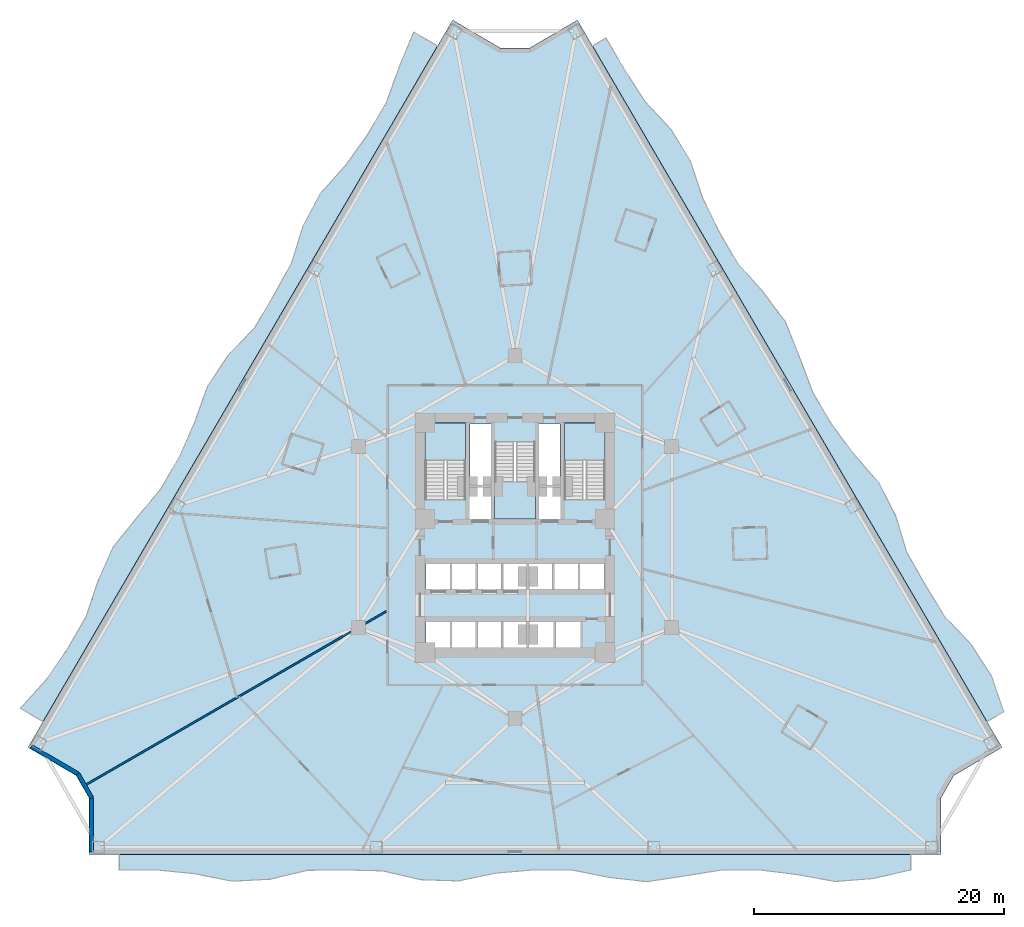
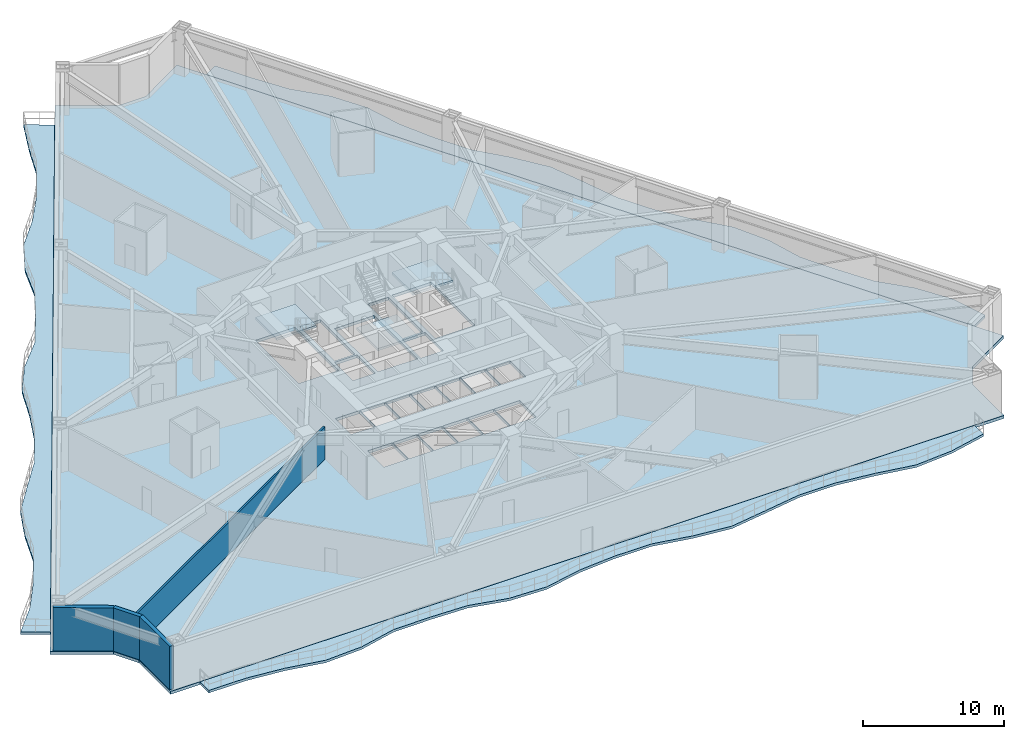
# One storey, part 2 of 12: 7 slabs, 4 walls, 3 elements without a shape of their own.
"""IFC4 building model written with IfcOpenShell, lengths in metres."""

from ifc_helpers import new_model, si_unit, direction, frame, frame_2d, origin, place, context, subcontext, project, spatial, polyline, rectangle, outline, extrude, material, layer, layer_set, type_object, element, aggregate, save


model = new_model("IFC4")

# Units and contexts
model_context = context("Model", 3, precision=1e-05, world=origin(), true_north=direction((0.0, 1.0)))
body_context = subcontext(model_context, "Body", "Model", "MODEL_VIEW")
ifc_project = project(units=[si_unit("LENGTHUNIT", "METRE"), si_unit("AREAUNIT", "SQUARE_METRE"), si_unit("VOLUMEUNIT", "CUBIC_METRE"), si_unit("PLANEANGLEUNIT", "RADIAN"), si_unit("MASSUNIT", "GRAM", prefix="KILO")], contexts=[model_context])

# Site, building, storey
site_placement = place(None, origin())
site = spatial("IfcSite", under=ifc_project, at=site_placement, CompositionType="ELEMENT")
building_placement = place(site_placement, origin())
building = spatial("IfcBuilding", under=site, at=building_placement, Name="Apsidion Concourse Tower", CompositionType="ELEMENT")
storey_placement = place(building_placement, frame((0.0, 0.0, 50.39990234375)))
storey = spatial("IfcBuildingStorey", under=building, at=storey_placement, Name="L10", CompositionType="ELEMENT", Elevation=50.39990234375)

# Slabs
ifc_material_1 = material(Name="Concrete C50/60", Category="concrete")
ifc_layer_1 = layer(ifc_material_1, 0.219970703125)
ifc_layer_set_1 = layer_set([ifc_layer_1], Name="Concrete C50/60")
slab_type_1 = type_object("IfcSlabType", Name="SL-BAL-220", PredefinedType="FLOOR", material=ifc_layer_set_1)
slab_1_placement = place(storey_placement, frame((0.0, 0.0, -0.219970703125)))
element("IfcSlab", 1, at=slab_1_placement, inside=storey, type_object=slab_type_1, Name="L10 Face 1 Rippling Balcony Slab", PredefinedType="FLOOR", context=body_context, shape_type="SweptSolid", body=[
    extrude(outline(polyline([(-6.204833984375, 39.32275390625), (-7.708740234375, 36.746826171875), (-9.212890625, 34.1708984375), (-10.716796875, 31.594970703125), (-12.220947265625, 29.018798828125), (-13.724853515625, 26.44287109375), (-15.22900390625, 23.866943359375), (-16.73291015625, 21.291015625), (-18.237060546875, 18.715087890625), (-19.740966796875, 16.138916015625), (-21.2451171875, 13.56298828125), (-22.7490234375, 10.987060546875), (-24.253173828125, 8.410888671875), (-25.757080078125, 5.8349609375), (-27.260986328125, 3.259033203125), (-28.76513671875, 0.68310546875), (-30.269287109375, -1.892822265625), (-31.773193359375, -4.468994140625), (-33.277099609375, -7.044921875), (-34.78125, -9.620849609375), (-36.285400390625, -12.19677734375), (-37.789306640625, -14.772705078125), (-39.611083984375, -13.708984375), (-37.548583984375, -11.458984375), (-35.860595703125, -8.990478515625), (-34.356689453125, -6.41455078125), (-33.38427734375, -3.5283203125), (-32.165771484375, -0.785400390625), (-30.265380859375, 1.55908203125), (-28.340576171875, 3.889404296875), (-26.836669921875, 6.46533203125), (-25.63671875, 9.218994140625), (-24.62060546875, 12.079833984375), (-22.952880859375, 14.560302734375), (-20.833740234375, 16.777099609375), (-19.31640625, 19.34521484375), (-17.88134765625, 21.96142578125), (-16.97998046875, 24.889404296875), (-15.57470703125, 27.522705078125), (-13.54443359375, 29.79150390625), (-11.79638671875, 32.22509765625), (-10.292236328125, 34.801025390625), (-9.265625, 37.65576171875), (-8.104736328125, 40.43212890625), (-6.204833984375, 39.32275390625)])), origin(), (0.0, 0.0, 1.0), 0.219970703125),
])
slab_2_placement = place(storey_placement, frame((0.0, 0.0, -0.219970703125)))
element("IfcSlab", 2, at=slab_2_placement, inside=storey, type_object=slab_type_1, Name="L10 Face 2 Rippling Balcony Slab", PredefinedType="FLOOR", context=body_context, shape_type="SweptSolid", body=[
    extrude(outline(polyline([(-31.68798828125, -25.39990234375), (-28.670166015625, -25.39990234375), (-25.65234375, -25.39990234375), (-22.634521484375, -25.39990234375), (-19.616455078125, -25.39990234375), (-16.598388671875, -25.39990234375), (-13.58056640625, -25.39990234375), (-10.562744140625, -25.39990234375), (-7.544921875, -25.39990234375), (-4.52685546875, -25.39990234375), (-1.509033203125, -25.39990234375), (1.509033203125, -25.39990234375), (4.52685546875, -25.39990234375), (7.544921875, -25.39990234375), (10.562744140625, -25.39990234375), (13.58056640625, -25.39990234375), (16.598388671875, -25.39990234375), (19.616455078125, -25.39990234375), (22.634521484375, -25.39990234375), (25.65234375, -25.39990234375), (28.670166015625, -25.39990234375), (31.68798828125, -25.39990234375), (31.68798828125, -26.64990234375), (28.670166015625, -27.340576171875), (25.65234375, -27.578369140625), (22.634521484375, -27.031982421875), (19.616455078125, -26.64990234375), (16.598388671875, -26.64990234375), (13.58056640625, -27.134033203125), (10.562744140625, -27.596923828125), (7.544921875, -27.25244140625), (4.52685546875, -26.64990234375), (1.509033203125, -26.64990234375), (-1.509033203125, -26.904296875), (-4.52685546875, -27.53369140625), (-7.544921875, -27.434814453125), (-10.562744140625, -26.731201171875), (-13.58056640625, -26.64990234375), (-16.598388671875, -26.680419921875), (-19.616455078125, -27.396484375), (-22.634521484375, -27.5556640625), (-25.65234375, -26.958984375), (-28.670166015625, -26.64990234375), (-31.68798828125, -26.64990234375), (-31.68798828125, -25.39990234375)])), origin(), (0.0, 0.0, 1.0), 0.219970703125),
])
slab_3_placement = place(storey_placement, frame((0.0, 0.0, -0.219970703125)))
element("IfcSlab", 3, at=slab_3_placement, inside=storey, type_object=slab_type_1, Name="L10 Face 3 Rippling Balcony Slab", PredefinedType="FLOOR", context=body_context, shape_type="SweptSolid", body=[
    extrude(outline(polyline([(37.789306640625, -14.772705078125), (36.285400390625, -12.19677734375), (34.78125, -9.620849609375), (33.277099609375, -7.044921875), (31.773193359375, -4.468994140625), (30.269287109375, -1.892822265625), (28.76513671875, 0.68310546875), (27.260986328125, 3.259033203125), (25.757080078125, 5.8349609375), (24.253173828125, 8.410888671875), (22.7490234375, 10.987060546875), (21.2451171875, 13.56298828125), (19.740966796875, 16.138916015625), (18.237060546875, 18.715087890625), (16.73291015625, 21.291015625), (15.22900390625, 23.866943359375), (13.724853515625, 26.44287109375), (12.220947265625, 29.018798828125), (10.716796875, 31.594970703125), (9.212890625, 34.1708984375), (7.708740234375, 36.746826171875), (6.204833984375, 39.32275390625), (7.2841796875, 39.953125), (8.788330078125, 37.377197265625), (10.404296875, 34.866455078125), (12.497314453125, 32.634521484375), (14.05029296875, 30.0869140625), (15.00341796875, 27.189208984375), (16.308349609375, 24.497314453125), (17.8125, 21.921142578125), (19.834716796875, 19.647705078125), (21.63916015625, 17.247314453125), (22.759521484375, 14.447265625), (23.82861328125, 11.6171875), (25.33251953125, 9.041259765625), (27.125732421875, 6.63427734375), (29.127685546875, 4.348876953125), (30.484375, 1.686767578125), (31.37548828125, -1.246826171875), (32.852783203125, -3.838623046875), (34.411376953125, -6.382568359375), (36.52197265625, -8.6044921875), (38.14111328125, -11.11328125), (39.127685546875, -13.9912109375), (37.789306640625, -14.772705078125)])), origin(), (0.0, 0.0, 1.0), 0.219970703125),
])
ifc_layer_2 = layer(ifc_material_1, 0.25)
ifc_layer_set_2 = layer_set([ifc_layer_2], Name="Concrete C50/60")
slab_type_2 = type_object("IfcSlabType", Name="SL-FLR-250", PredefinedType="FLOOR", material=ifc_layer_set_2)
slab_4_placement = place(storey_placement, frame((0.0, 0.0, -0.25)))
element("IfcSlab", 4, at=slab_4_placement, inside=storey, type_object=slab_type_2, Name="L10 Structural Floor Slab", PredefinedType="FLOOR", context=body_context, shape_type="SweptSolid", body=[
    extrude(outline(polyline([(4.99462890625, 41.3955078125), (1.13427734375, 39.141357421875), (-1.13427734375, 39.141357421875), (-4.99462890625, 41.3955078125), (-38.99951171875, -16.845458984375), (-35.138916015625, -19.099365234375), (-34.088134765625, -20.9296875), (-34.088134765625, -25.39990234375), (34.088134765625, -25.39990234375), (34.088134765625, -20.9296875), (35.138916015625, -19.099365234375), (38.99951171875, -16.845458984375), (4.99462890625, 41.3955078125)]), holes=[polyline([(-3.949951171875, 3.0), (-3.949951171875, 9.14990234375), (-7.199951171875, 9.14990234375), (-7.199951171875, 3.0), (-3.949951171875, 3.0)]), polyline([(7.199951171875, 3.0), (7.199951171875, 9.14990234375), (3.949951171875, 9.14990234375), (3.949951171875, 3.0), (7.199951171875, 3.0)]), polyline([(-1.625, 7.60009765625), (-1.625, 1.449951171875), (1.625, 1.449951171875), (1.625, 7.60009765625), (-1.625, 7.60009765625)]), polyline([(-7.14501953125, -4.300048828125), (-5.155029296875, -4.300048828125), (-5.155029296875, -2.050048828125), (-7.14501953125, -2.050048828125), (-7.14501953125, -4.300048828125)]), polyline([(-5.094970703125, -4.300048828125), (-3.10498046875, -4.300048828125), (-3.10498046875, -2.050048828125), (-5.094970703125, -2.050048828125), (-5.094970703125, -4.300048828125)]), polyline([(-3.044921875, -4.300048828125), (-1.054931640625, -4.300048828125), (-1.054931640625, -2.050048828125), (-3.044921875, -2.050048828125), (-3.044921875, -4.300048828125)]), polyline([(-0.9951171875, -4.300048828125), (0.9951171875, -4.300048828125), (0.9951171875, -2.050048828125), (-0.9951171875, -2.050048828125), (-0.9951171875, -4.300048828125)]), polyline([(1.054931640625, -4.300048828125), (3.044921875, -4.300048828125), (3.044921875, -2.050048828125), (1.054931640625, -2.050048828125), (1.054931640625, -4.300048828125)]), polyline([(3.10498046875, -4.300048828125), (5.094970703125, -4.300048828125), (5.094970703125, -2.050048828125), (3.10498046875, -2.050048828125), (3.10498046875, -4.300048828125)]), polyline([(5.155029296875, -4.300048828125), (7.14501953125, -4.300048828125), (7.14501953125, -2.050048828125), (5.155029296875, -2.050048828125), (5.155029296875, -4.300048828125)]), polyline([(-7.14501953125, -8.949951171875), (-5.155029296875, -8.949951171875), (-5.155029296875, -6.64990234375), (-7.14501953125, -6.64990234375), (-7.14501953125, -8.949951171875)]), polyline([(-5.094970703125, -8.949951171875), (-3.10498046875, -8.949951171875), (-3.10498046875, -6.64990234375), (-5.094970703125, -6.64990234375), (-5.094970703125, -8.949951171875)]), polyline([(-3.044921875, -8.949951171875), (-1.054931640625, -8.949951171875), (-1.054931640625, -6.64990234375), (-3.044921875, -6.64990234375), (-3.044921875, -8.949951171875)]), polyline([(-0.9951171875, -8.949951171875), (0.9951171875, -8.949951171875), (0.9951171875, -6.64990234375), (-0.9951171875, -6.64990234375), (-0.9951171875, -8.949951171875)]), polyline([(1.044921875, -9.0), (3.155029296875, -9.0), (3.155029296875, -6.64990234375), (1.044921875, -6.64990234375), (1.044921875, -9.0)]), polyline([(3.195068359375, -9.0), (5.304931640625, -9.0), (5.304931640625, -6.64990234375), (3.195068359375, -6.64990234375), (3.195068359375, -9.0)]), polyline([(-3.7099609375, 1.39990234375), (-1.85009765625, 1.39990234375), (-1.85009765625, 4.0), (-3.7099609375, 4.0), (-3.7099609375, 1.39990234375)]), polyline([(1.85009765625, 1.39990234375), (3.7099609375, 1.39990234375), (3.7099609375, 4.0), (1.85009765625, 4.0), (1.85009765625, 1.39990234375)]), polyline([(-3.6201171875, 4.14990234375), (-1.93994140625, 4.14990234375), (-1.93994140625, 9.050048828125), (-3.6201171875, 9.050048828125), (-3.6201171875, 4.14990234375)]), polyline([(1.93994140625, 4.14990234375), (3.6201171875, 4.14990234375), (3.6201171875, 9.050048828125), (1.93994140625, 9.050048828125), (1.93994140625, 4.14990234375)])]), origin(), (0.0, 0.0, 1.0), 0.25),
])

# Stair, slab
ifc_material_2 = material(Name="Precast concrete C40/50", Category="concrete")
stair_type = type_object("IfcStairType", Name="ST-DL-1550", PredefinedType="HALF_TURN_STAIR", material=ifc_material_2)
stair_1_placement = place(storey_placement, origin())
stair_1 = element("IfcStair", 5, at=stair_1_placement, inside=storey, type_object=stair_type, Name="L10 Protected Core Exit Stair ST1", PredefinedType="HALF_TURN_STAIR")
ifc_layer_3 = layer(ifc_material_1, 0.199951171875)
ifc_layer_set_3 = layer_set([ifc_layer_3], Name="Concrete C50/60")
slab_type_3 = type_object("IfcSlabType", Name="SL-ST-LAND-200", PredefinedType="LANDING", material=ifc_layer_set_3)
slab_5_placement = place(storey_placement, frame((0.0, 0.0, 1.800048828125)))
slab_5 = element("IfcSlab", 6, at=slab_5_placement, type_object=slab_type_3, Name="ST1 landing 1", PredefinedType="LANDING", context=body_context, shape_type="SweptSolid", body=[
    extrude(outline(polyline([(-3.949951171875, 6.135009765625), (-3.949951171875, 9.14990234375), (-7.199951171875, 9.14990234375), (-7.199951171875, 6.135009765625), (-3.949951171875, 6.135009765625)])), origin(), (0.0, 0.0, 1.0), 0.199951171875),
])
aggregate(stair_1, [slab_5])

stair_2_placement = place(storey_placement, origin())
stair_2 = element("IfcStair", 7, at=stair_2_placement, inside=storey, type_object=stair_type, Name="L10 Protected Core Exit Stair ST2", PredefinedType="HALF_TURN_STAIR")
slab_6_placement = place(storey_placement, frame((0.0, 0.0, 1.800048828125)))
slab_6 = element("IfcSlab", 8, at=slab_6_placement, type_object=slab_type_3, Name="ST2 landing 1", PredefinedType="LANDING", context=body_context, shape_type="SweptSolid", body=[
    extrude(outline(polyline([(7.199951171875, 6.135009765625), (7.199951171875, 9.14990234375), (3.949951171875, 9.14990234375), (3.949951171875, 6.135009765625), (7.199951171875, 6.135009765625)])), origin(), (0.0, 0.0, 1.0), 0.199951171875),
])
aggregate(stair_2, [slab_6])

stair_3_placement = place(storey_placement, origin())
stair_3 = element("IfcStair", 9, at=stair_3_placement, inside=storey, type_object=stair_type, Name="L10 Protected Core Exit Stair ST3", PredefinedType="HALF_TURN_STAIR")
slab_7_placement = place(storey_placement, frame((0.0, 0.0, 1.800048828125)))
slab_7 = element("IfcSlab", 10, at=slab_7_placement, type_object=slab_type_3, Name="ST3 landing 1", PredefinedType="LANDING", context=body_context, shape_type="SweptSolid", body=[
    extrude(outline(polyline([(-1.625, 4.465087890625), (-1.625, 1.449951171875), (1.625, 1.449951171875), (1.625, 4.465087890625), (-1.625, 4.465087890625)])), origin(), (0.0, 0.0, 1.0), 0.199951171875),
])
aggregate(stair_3, [slab_7])

# Walls
ifc_layer_4 = layer(ifc_material_2, 0.320068359375)
ifc_layer_set_4 = layer_set([ifc_layer_4], Name="Precast concrete C40/50")
wall_type_1 = type_object("IfcWallType", Name="WL-EXT-320", PredefinedType="STANDARD", material=ifc_layer_set_4)
wall_1_placement = place(storey_placement, frame((-33.88818359375, -25.199951171875, 0.0), z_axis=(0.0, 0.0, 1.0), x_axis=(0.0, 1.0, 0.0)))
element("IfcWall", 11, at=wall_1_placement, inside=storey, type_object=wall_type_1, Name="L10 Precast Stone Facade Wall 06", PredefinedType="STANDARD", context=body_context, shape_type="SweptSolid", body=[
    extrude(rectangle(XDim=4.32373046875, YDim=0.320068359375, at=frame_2d((2.161865234375, 0.0))), origin(), (0.0, 0.0, 1.0), 3.75),
])
wall_2_placement = place(storey_placement, frame((-33.88818359375, -20.876220703125, 0.0), z_axis=(0.0, 0.0, 1.0), x_axis=(-0.497881323344, 0.867245171717, 0.0)))
element("IfcWall", 12, at=wall_2_placement, inside=storey, type_object=wall_type_1, Name="L10 Precast Stone Facade Wall 07", PredefinedType="STANDARD", context=body_context, shape_type="SweptSolid", body=[
    extrude(rectangle(XDim=2.216796875, YDim=0.320068359375, at=frame_2d((1.1083984375, 0.0))), origin(), (0.0, 0.0, 1.0), 3.75),
])
wall_3_placement = place(storey_placement, frame((-34.991943359375, -18.95361328125, 0.0), z_axis=(0.0, 0.0, 1.0), x_axis=(-0.863569936823, 0.504229079105, 0.0)))
element("IfcWall", 13, at=wall_3_placement, inside=storey, type_object=wall_type_1, Name="L10 Precast Stone Facade Wall 08", PredefinedType="STANDARD", context=body_context, shape_type="SweptSolid", body=[
    extrude(rectangle(XDim=4.32373046875, YDim=0.320068359375, at=frame_2d((2.161865234375, 0.0))), origin(), (0.0, 0.0, 1.0), 3.75),
])
ifc_material_3 = material(Name="Gypsum plasterboard partition")
ifc_layer_5 = layer(ifc_material_3, 0.14990234375)
ifc_layer_set_5 = layer_set([ifc_layer_5], Name="Gypsum plasterboard partition")
wall_type_2 = type_object("IfcWallType", Name="WL-INT-PAR-150", PredefinedType="PARTITIONING", material=ifc_layer_set_5)
wall_4_placement = place(storey_placement, frame((-10.304931640625, -5.94970703125, 0.0), z_axis=(0.0, 0.0, 1.0), x_axis=(-0.866026683055, -0.499997784232, 0.0)))
element("IfcWall", 14, at=wall_4_placement, inside=storey, type_object=wall_type_2, Name="L10 Interior Partition WL-L10-RAD-07-1", PredefinedType="PARTITIONING", context=body_context, shape_type="SweptSolid", body=[
    extrude(rectangle(XDim=27.709228515625, YDim=0.14990234375, at=frame_2d((13.8544921875, 0.0))), origin(), (0.0, 0.0, 1.0), 2.798095703125),
])

save(model, "model.ifc")
